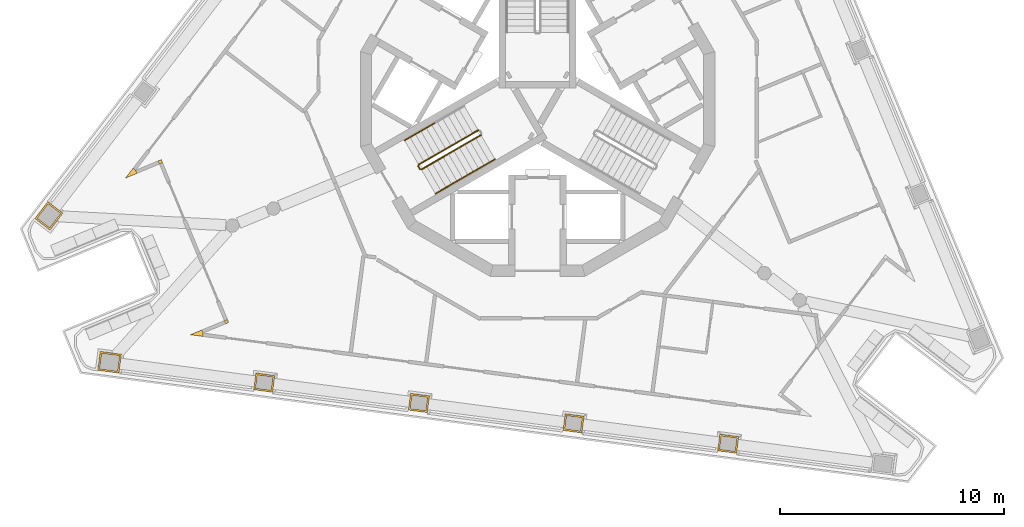
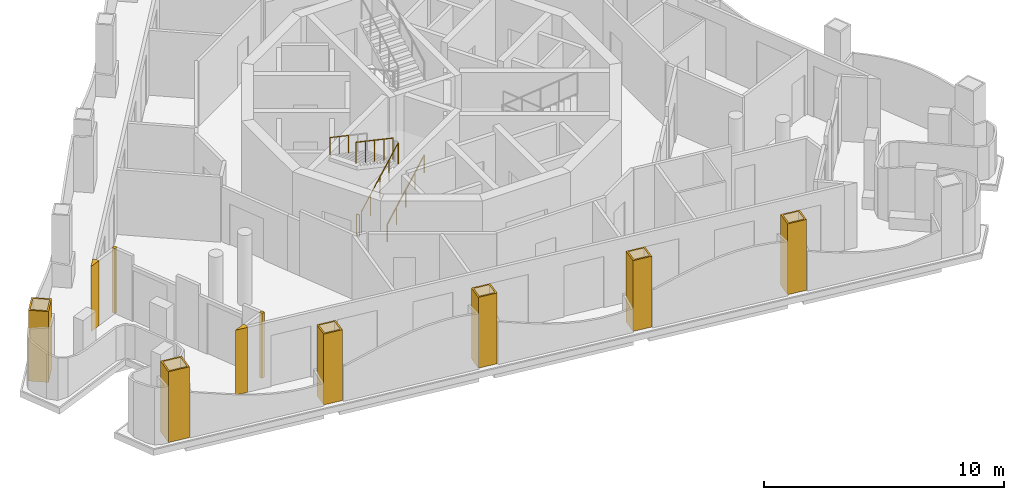
# One storey, part 8 of 13: 10 coverings, 6 railings.
"""IFC4 building model written with IfcOpenShell, lengths in metres."""

from ifc_helpers import new_model, si_unit, direction, frame, origin, origin_2d, place, context, subcontext, project, spatial, polyline, circle, outline, extrude, material, layer, layer_set, type_object, element, save


model = new_model("IFC4")

# Units and contexts
model_context = context("Model", 3, precision=1e-05, world=origin(), true_north=direction((0.0, 1.0)))
body_context = subcontext(model_context, "Body", "Model", "MODEL_VIEW")
ifc_project = project(units=[si_unit("LENGTHUNIT", "METRE"), si_unit("AREAUNIT", "SQUARE_METRE"), si_unit("VOLUMEUNIT", "CUBIC_METRE"), si_unit("PLANEANGLEUNIT", "RADIAN"), si_unit("MASSUNIT", "GRAM", prefix="KILO")], contexts=[model_context])

# Site, building, storey
site_placement = place(None, origin())
site = spatial("IfcSite", under=ifc_project, at=site_placement, CompositionType="ELEMENT")
building_placement = place(site_placement, origin())
building = spatial("IfcBuilding", under=site, at=building_placement, Name="Trine Commons Tower", CompositionType="ELEMENT")
storey_placement = place(building_placement, frame((0.0, 0.0, 286.199951171875)))
storey = spatial("IfcBuildingStorey", under=building, at=storey_placement, Name="L75", CompositionType="ELEMENT", Elevation=286.199951171875)

# Coverings
ifc_material_1 = material(Name="Aluminium-framed insulated wall panel", Category="aluminium")
ifc_layer_1 = layer(ifc_material_1, 0.14990234375)
ifc_layer_set_1 = layer_set([ifc_layer_1], Name="Aluminium-framed insulated wall panel")
covering_type_1 = type_object("IfcCoveringType", Name="Glazing corner post, aluminium", PredefinedType="CLADDING", material=ifc_layer_set_1)
covering_1_placement = place(storey_placement, origin())
element("IfcCovering", 1, at=covering_1_placement, inside=storey, type_object=covering_type_1, Name="Glazing corner post 8-01", PredefinedType="CLADDING", context=body_context, shape_type="SweptSolid", body=[
    extrude(outline(polyline([(62.0380859375, 59.324462890625), (61.919189453125, 59.416015625), (61.578369140625, 58.9716796875), (62.095458984375, 59.18603515625), (62.0380859375, 59.324462890625), (62.0380859375, 59.324462890625)])), origin(), (0.0, 0.0, 1.0), 3.300048828125),
])
covering_2_placement = place(storey_placement, origin())
element("IfcCovering", 2, at=covering_2_placement, inside=storey, type_object=covering_type_1, Name="Glazing corner post 8-10", PredefinedType="CLADDING", context=body_context, shape_type="SweptSolid", body=[
    extrude(outline(polyline([(65.033935546875, 51.895751953125), (65.0537109375, 52.04443359375), (64.99609375, 52.18310546875), (64.47900390625, 51.96875), (65.033935546875, 51.895751953125)])), origin(), (0.0, 0.0, 1.0), 3.300048828125),
])
covering_3_placement = place(storey_placement, origin())
element("IfcCovering", 3, at=covering_3_placement, inside=storey, type_object=covering_type_1, Name="Glazing corner post 8-11", PredefinedType="CLADDING", context=body_context, shape_type="SweptSolid", body=[
    extrude(outline(polyline([(66.056640625, 52.4599609375), (66.1953125, 52.517333984375), (66.137939453125, 52.65576171875), (65.999267578125, 52.598388671875), (66.056640625, 52.4599609375)])), origin(), (0.0, 0.0, 1.0), 3.300048828125),
])
covering_4_placement = place(storey_placement, origin())
element("IfcCovering", 4, at=covering_4_placement, inside=storey, type_object=covering_type_1, Name="Glazing corner post 8-12", PredefinedType="CLADDING", context=body_context, shape_type="SweptSolid", body=[
    extrude(outline(polyline([(63.041015625, 59.739990234375), (63.098388671875, 59.601318359375), (63.237060546875, 59.658935546875), (63.1796875, 59.79736328125), (63.041015625, 59.739990234375)])), origin(), (0.0, 0.0, 1.0), 3.300048828125),
])
ifc_material_2 = material(Name="Limestone, honed", Category="masonry")
ifc_layer_2 = layer(ifc_material_2, 0.074951171875)
ifc_layer_set_2 = layer_set([ifc_layer_2], Name="Limestone, honed")
covering_type_2 = type_object("IfcCoveringType", Name="Limestone column cladding 75", PredefinedType="CLADDING", material=ifc_layer_set_2)
covering_5_placement = place(storey_placement, origin())
element("IfcCovering", 5, at=covering_5_placement, inside=storey, type_object=covering_type_2, Name="Limestone pier cladding 8-02", PredefinedType="CLADDING", context=body_context, shape_type="SweptSolid", body=[
    extrude(outline(polyline([(88.1494140625, 47.526123046875), (88.051513671875, 46.78271484375), (88.89404296875, 46.671630859375), (88.991943359375, 47.415283203125), (88.1494140625, 47.526123046875)]), holes=[polyline([(88.2138671875, 47.44189453125), (88.135498046875, 46.84716796875), (88.82958984375, 46.755859375), (88.907958984375, 47.3505859375), (88.2138671875, 47.44189453125)])]), origin(), (0.0, 0.0, 1.0), 3.60009765625),
])
covering_6_placement = place(storey_placement, origin())
element("IfcCovering", 6, at=covering_6_placement, inside=storey, type_object=covering_type_2, Name="Limestone pier cladding 8-03", PredefinedType="CLADDING", context=body_context, shape_type="SweptSolid", body=[
    extrude(outline(polyline([(81.236328125, 48.436279296875), (81.138427734375, 47.692626953125), (81.981201171875, 47.581787109375), (82.0791015625, 48.3251953125), (81.236328125, 48.436279296875)]), holes=[polyline([(81.30078125, 48.35205078125), (81.222412109375, 47.75732421875), (81.91650390625, 47.666015625), (81.994873046875, 48.2607421875), (81.30078125, 48.35205078125)])]), origin(), (0.0, 0.0, 1.0), 3.60009765625),
])
covering_7_placement = place(storey_placement, origin())
element("IfcCovering", 7, at=covering_7_placement, inside=storey, type_object=covering_type_2, Name="Limestone pier cladding 8-04", PredefinedType="CLADDING", context=body_context, shape_type="SweptSolid", body=[
    extrude(outline(polyline([(74.3232421875, 49.346435546875), (74.225341796875, 48.602783203125), (75.068115234375, 48.49169921875), (75.166015625, 49.2353515625), (74.3232421875, 49.346435546875)]), holes=[polyline([(74.3876953125, 49.26220703125), (74.309326171875, 48.66748046875), (75.00341796875, 48.575927734375), (75.081787109375, 49.1708984375), (74.3876953125, 49.26220703125)])]), origin(), (0.0, 0.0, 1.0), 3.60009765625),
])
covering_8_placement = place(storey_placement, origin())
element("IfcCovering", 8, at=covering_8_placement, inside=storey, type_object=covering_type_2, Name="Limestone pier cladding 8-05", PredefinedType="CLADDING", context=body_context, shape_type="SweptSolid", body=[
    extrude(outline(polyline([(67.41015625, 50.256591796875), (67.312255859375, 49.512939453125), (68.15478515625, 49.40185546875), (68.252685546875, 50.1455078125), (67.41015625, 50.256591796875)]), holes=[polyline([(67.474609375, 50.17236328125), (67.396240234375, 49.577392578125), (68.09033203125, 49.486083984375), (68.168701171875, 50.080810546875), (67.474609375, 50.17236328125)])]), origin(), (0.0, 0.0, 1.0), 3.60009765625),
])
covering_9_placement = place(storey_placement, origin())
element("IfcCovering", 9, at=covering_9_placement, inside=storey, type_object=covering_type_2, Name="Limestone pier cladding 8-06", PredefinedType="CLADDING", context=body_context, shape_type="SweptSolid", body=[
    extrude(outline(polyline([(60.4541015625, 51.22265625), (60.343017578125, 50.3798828125), (61.284912109375, 50.255859375), (61.39599609375, 51.0986328125), (60.4541015625, 51.22265625)]), holes=[polyline([(60.5185546875, 51.138427734375), (60.42724609375, 50.444580078125), (61.220458984375, 50.340087890625), (61.311767578125, 51.0341796875), (60.5185546875, 51.138427734375)])]), origin(), (0.0, 0.0, 1.0), 3.60009765625),
])
covering_10_placement = place(storey_placement, origin())
element("IfcCovering", 10, at=covering_10_placement, inside=storey, type_object=covering_type_2, Name="Limestone pier cladding 8-07", PredefinedType="CLADDING", context=body_context, shape_type="SweptSolid", body=[
    extrude(outline(polyline([(58.782958984375, 57.40673828125), (58.108642578125, 57.92431640625), (57.5302734375, 57.170654296875), (58.20458984375, 56.653076171875), (58.782958984375, 57.40673828125)]), holes=[polyline([(58.677734375, 57.39306640625), (58.122314453125, 57.819091796875), (57.635498046875, 57.184326171875), (58.19091796875, 56.75830078125), (58.677734375, 57.39306640625)])]), origin(), (0.0, 0.0, 1.0), 3.60009765625),
])

# Railings
ifc_material_3 = material(Name="Stainless steel balustrade", Category="steel")
railing_type_1 = type_object("IfcRailingType", Name="Stair guard, steel balustrade 1100", PredefinedType="GUARDRAIL", material=ifc_material_3)
railing_1_placement = place(storey_placement, frame((74.80517578125, 59.3564453125, 0.150146484375)))
element("IfcRailing", 11, at=railing_1_placement, inside=storey, type_object=railing_type_1, Name="L75 ST2D stair guard 1", PredefinedType="GUARDRAIL", context=body_context, shape_type="SweptSolid", body=[
    extrude(circle(Radius=0.02392578125, at=origin_2d()), frame((0.0, 0.0, 1.076171875), z_axis=(0.76340495495, 0.440743040072, 0.472184759798), x_axis=(-0.499992328818, 0.866029832698, 0.0)), (0.0, 0.0, 1.0), 3.494140625),
    extrude(circle(Radius=0.02099609375, at=origin_2d()), origin(), (0.0, 0.0, 1.0), 1.052001953125),
    extrude(circle(Radius=0.02099609375, at=origin_2d()), frame((0.6669921875, 0.385009765625, 0.41259765625)), (0.0, 0.0, 1.0), 1.052001953125),
    extrude(circle(Radius=0.02099609375, at=origin_2d()), frame((1.333740234375, 0.77001953125, 0.824951171875)), (0.0, 0.0, 1.0), 1.052001953125),
    extrude(circle(Radius=0.02099609375, at=origin_2d()), frame((2.00048828125, 1.155029296875, 1.2373046875)), (0.0, 0.0, 1.0), 1.052001953125),
    extrude(circle(Radius=0.02099609375, at=origin_2d()), frame((2.66748046875, 1.5400390625, 1.64990234375)), (0.0, 0.0, 1.0), 1.052001953125),
])
railing_2_placement = place(storey_placement, frame((77.34765625, 61.113037109375, 1.949951171875)))
element("IfcRailing", 12, at=railing_2_placement, inside=storey, type_object=railing_type_1, Name="L75 ST2D stair guard 3", PredefinedType="GUARDRAIL", context=body_context, shape_type="SweptSolid", body=[
    extrude(circle(Radius=0.02392578125, at=origin_2d()), frame((0.0, 0.0, 1.076171875), z_axis=(-0.763379768245, -0.440728498818, 0.472239049384), x_axis=(0.499992328818, -0.866029832698, 0.0)), (0.0, 0.0, 1.0), 3.494384765625),
    extrude(circle(Radius=0.02099609375, at=origin_2d()), origin(), (0.0, 0.0, 1.0), 1.052001953125),
    extrude(circle(Radius=0.02099609375, at=origin_2d()), frame((-0.6669921875, -0.385009765625, 0.41259765625)), (0.0, 0.0, 1.0), 1.052001953125),
    extrude(circle(Radius=0.02099609375, at=origin_2d()), frame((-1.333740234375, -0.77001953125, 0.8251953125)), (0.0, 0.0, 1.0), 1.052001953125),
    extrude(circle(Radius=0.02099609375, at=origin_2d()), frame((-2.00048828125, -1.155029296875, 1.237548828125)), (0.0, 0.0, 1.0), 1.052001953125),
    extrude(circle(Radius=0.02099609375, at=origin_2d()), frame((-2.66748046875, -1.5400390625, 1.650146484375)), (0.0, 0.0, 1.0), 1.052001953125),
])
railing_3_placement = place(storey_placement, frame((74.73681640625, 59.374755859375, 0.0)))
element("IfcRailing", 13, at=railing_3_placement, inside=storey, type_object=railing_type_1, Name="L75 ST2D stair guard 4", PredefinedType="GUARDRAIL", context=body_context, shape_type="SweptSolid", body=[
    extrude(circle(Radius=0.02392578125, at=origin_2d()), frame((0.0, 0.0, 1.076171875), z_axis=(-0.499816412211, 0.866131372301, 0.0), x_axis=(-0.866131372301, -0.499816412211, 0.0)), (0.0, 0.0, 1.0), 0.14990234375),
    extrude(circle(Radius=0.02099609375, at=origin_2d()), origin(), (0.0, 0.0, 1.0), 1.052001953125),
    extrude(circle(Radius=0.02099609375, at=origin_2d()), frame((-0.074951171875, 0.1298828125, 0.0)), (0.0, 0.0, 1.0), 1.052001953125),
])
ifc_material_4 = material(Name="Stainless steel handrail", Category="steel")
railing_type_2 = type_object("IfcRailingType", Name="Stair handrail, steel 900", PredefinedType="HANDRAIL", material=ifc_material_4)
for number, where, name in (
    (14, (75.43017578125, 58.27392578125, 0.150146484375), "L75 ST2D stair handrail 1"),
    (15, (76.763916015625, 59.0439453125, 0.97509765625), "L75 ST2D stair handrail 2"),
):
    element("IfcRailing", number, at=place(storey_placement, frame(where)), inside=storey, type_object=railing_type_2, Name=name, PredefinedType="HANDRAIL", context=body_context, shape_type="SweptSolid", body=[
        extrude(circle(Radius=0.02099609375, at=origin_2d()), frame((0.0, 0.0, 0.87890625), z_axis=(0.76340495495, 0.440743040072, 0.472184759798), x_axis=(-0.499992328818, 0.866029832698, 0.0)), (0.0, 0.0, 1.0), 1.7470703125),
        extrude(circle(Radius=0.01513671875, at=origin_2d()), origin(), (0.0, 0.0, 1.0), 0.85791015625),
        extrude(circle(Radius=0.01513671875, at=origin_2d()), frame((0.6669921875, 0.385009765625, 0.41259765625)), (0.0, 0.0, 1.0), 0.85791015625),
        extrude(circle(Radius=0.01513671875, at=origin_2d()), frame((1.333740234375, 0.77001953125, 0.824951171875)), (0.0, 0.0, 1.0), 0.85791015625),
    ])
railing_4_placement = place(storey_placement, frame((75.388916015625, 61.425537109375, 2.775146484375)))
element("IfcRailing", 16, at=railing_4_placement, inside=storey, type_object=railing_type_2, Name="L75 ST2D stair handrail 4", PredefinedType="HANDRAIL", context=body_context, shape_type="SweptSolid", body=[
    extrude(circle(Radius=0.02099609375, at=origin_2d()), frame((0.0, 0.0, 0.87890625), z_axis=(-0.76340495495, -0.440743040072, 0.472184759798), x_axis=(0.499992328818, -0.866029832698, 0.0)), (0.0, 0.0, 1.0), 1.7470703125),
    extrude(circle(Radius=0.01513671875, at=origin_2d()), origin(), (0.0, 0.0, 1.0), 0.85791015625),
    extrude(circle(Radius=0.01513671875, at=origin_2d()), frame((-0.6669921875, -0.385009765625, 0.41259765625)), (0.0, 0.0, 1.0), 0.85791015625),
    extrude(circle(Radius=0.01513671875, at=origin_2d()), frame((-1.333740234375, -0.77001953125, 0.824951171875)), (0.0, 0.0, 1.0), 0.85791015625),
])

save(model, "model.ifc")
